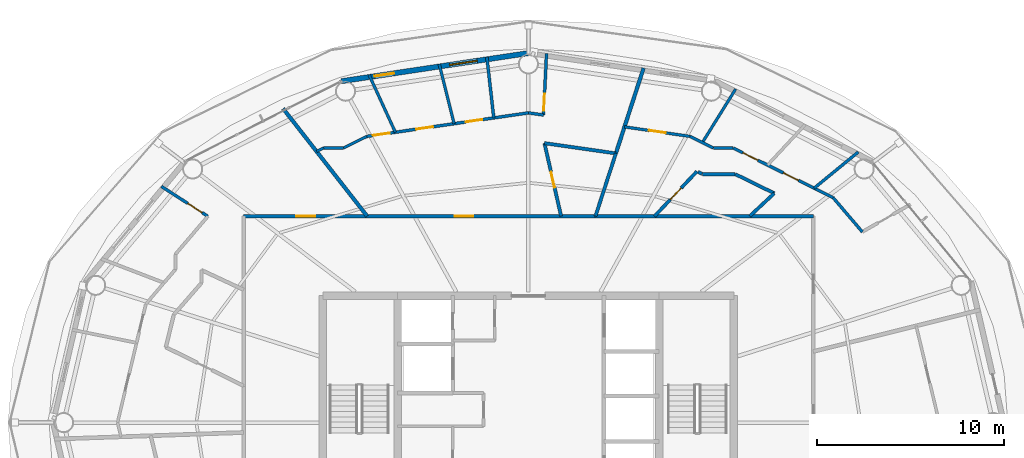
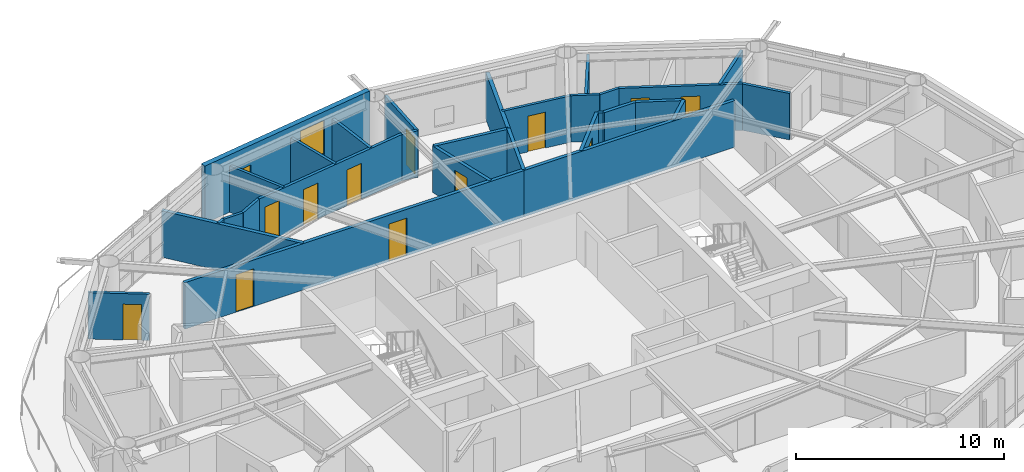
# One storey, part 19 of 23: 30 walls, 13 doors, 1 window, 14 openings.
"""IFC4 building model written with IfcOpenShell, lengths in metres."""

from ifc_helpers import new_model, si_unit, direction, frame, frame_2d, origin, place, context, subcontext, project, spatial, rectangle, extrude, material, layer, layer_set, type_object, element, fill, save


model = new_model("IFC4")

# Units and contexts
model_context = context("Model", 3, precision=1e-05, world=origin(), true_north=direction((0.0, 1.0)))
body_context = subcontext(model_context, "Body", "Model", "MODEL_VIEW")
ifc_project = project(units=[si_unit("LENGTHUNIT", "METRE"), si_unit("AREAUNIT", "SQUARE_METRE"), si_unit("VOLUMEUNIT", "CUBIC_METRE"), si_unit("PLANEANGLEUNIT", "RADIAN"), si_unit("MASSUNIT", "GRAM", prefix="KILO")], contexts=[model_context])

# Site, building, storey
site_placement = place(None, origin())
site = spatial("IfcSite", under=ifc_project, at=site_placement, CompositionType="ELEMENT")
building_placement = place(site_placement, origin())
building = spatial("IfcBuilding", under=site, at=building_placement, Name="Sarneth Arch Tower", CompositionType="ELEMENT")
storey_placement = place(building_placement, frame((0.0, 0.0, 242.39990234375)))
storey = spatial("IfcBuildingStorey", under=building, at=storey_placement, Name="L62", CompositionType="ELEMENT", Elevation=242.39990234375)

# Wall, openings, doors
ifc_material_1 = material(Name="Double steel-stud corridor fire wall", Category="steel")
ifc_layer_1 = layer(ifc_material_1, 0.18994140625)
ifc_layer_set_1 = layer_set([ifc_layer_1], Name="Double steel-stud corridor fire wall")
wall_type_1 = type_object("IfcWallType", Name="WALL-CORR-190", PredefinedType="PARTITIONING", material=ifc_layer_set_1)
wall_1_placement = place(storey_placement, frame((32.75, 53.050048828125, 0.0), z_axis=(0.0, 0.0, 1.0), x_axis=(1.0, 0.0, 0.0)))
wall_1 = element("IfcWall", 1, at=wall_1_placement, inside=storey, type_object=wall_type_1, Name="L62 Interior partition W-L62-TP-005", PredefinedType="PARTITIONING", context=body_context, shape_type="SweptSolid", body=[
    extrude(rectangle(XDim=18.84033203125, YDim=0.18994140625, at=frame_2d((9.420166015625, 0.0))), origin(), (0.0, 0.0, 1.0), 2.72021484375),
])
opening_1_placement = place(wall_1_placement, frame((11.3046875, 0.0, 0.0)))
opening_1 = element("IfcOpeningElement", 2, at=opening_1_placement, cuts=wall_1, Name="Opening FD-08", PredefinedType="OPENING", context=body_context, shape_type="SweptSolid", body=[
    extrude(rectangle(XDim=1.0, YDim=2.199951171875, at=frame_2d((0.5, 1.10009765625))), frame((0.0, 0.10498046875, 0.0), z_axis=(0.0, -1.0, 0.0), x_axis=(1.0, 0.0, 0.0)), (0.0, 0.0, 1.0), 0.2099609375),
])
opening_2_placement = place(wall_1_placement, frame((2.82861328125, 0.0, 0.0)))
opening_2 = element("IfcOpeningElement", 3, at=opening_2_placement, cuts=wall_1, Name="Opening FD-08", PredefinedType="OPENING", context=body_context, shape_type="SweptSolid", body=[
    extrude(rectangle(XDim=1.0, YDim=2.199951171875, at=frame_2d((0.5, 1.10009765625))), frame((0.0, 0.10498046875, 0.0), z_axis=(0.0, -1.0, 0.0), x_axis=(1.0, 0.0, 0.0)), (0.0, 0.0, 1.0), 0.2099609375),
])
ifc_material_2 = material(Name="Hardwood timber acoustic fire door", Category="wood")
door_type_1 = type_object("IfcDoorType", Name="DR-FD60-1000", OperationType="SINGLE_SWING_LEFT", PredefinedType="DOOR", material=ifc_material_2)
door_1_placement = place(opening_1_placement, origin())
door_1 = element("IfcDoor", 4, at=door_1_placement, inside=storey, type_object=door_type_1, Name="L62 Interior door DR-L62-U2-ENT", OperationType="SINGLE_SWING_LEFT", OverallHeight=2.199951171875, OverallWidth=1.0, PredefinedType="DOOR", context=body_context, shape_type="SweptSolid", body=[
    extrude(rectangle(XDim=1.0, YDim=2.199951171875, at=frame_2d((0.5, 1.10009765625))), frame((0.0, 0.02490234375, 0.0), z_axis=(0.0, -1.0, 0.0), x_axis=(1.0, 0.0, 0.0)), (0.0, 0.0, 1.0), 0.050048828125),
])
fill(opening_1, door_1)
door_2_placement = place(opening_2_placement, origin())
door_2 = element("IfcDoor", 5, at=door_2_placement, inside=storey, type_object=door_type_1, Name="L62 Interior door DR-L62-U3-ENT", OperationType="SINGLE_SWING_LEFT", OverallHeight=2.199951171875, OverallWidth=1.0, PredefinedType="DOOR", context=body_context, shape_type="SweptSolid", body=[
    extrude(rectangle(XDim=1.0, YDim=2.199951171875, at=frame_2d((0.5, 1.10009765625))), frame((0.0, 0.02490234375, 0.0), z_axis=(0.0, -1.0, 0.0), x_axis=(1.0, 0.0, 0.0)), (0.0, 0.0, 1.0), 0.050048828125),
])
fill(opening_2, door_2)

# Wall
wall_2_placement = place(storey_placement, frame((51.556884765625, 53.050048828125, 0.0), z_axis=(0.0, 0.0, 1.0), x_axis=(1.0, 0.0, 0.0)))
element("IfcWall", 6, at=wall_2_placement, inside=storey, type_object=wall_type_1, Name="L62 Interior partition W-L62-TP-004", PredefinedType="PARTITIONING", context=body_context, shape_type="SweptSolid", body=[
    extrude(rectangle(XDim=11.693115234375, YDim=0.18994140625, at=frame_2d((5.8466796875, 0.0))), origin(), (0.0, 0.0, 1.0), 2.72021484375),
])

# Wall, openings, door, window
ifc_material_3 = material(Name="Extruded terracotta rainscreen on Concrete C40/50 backing", Category="masonry")
ifc_layer_2 = layer(ifc_material_3, 0.280029296875)
ifc_layer_set_2 = layer_set([ifc_layer_2], Name="Extruded terracotta rainscreen on Concrete C40/50 backing")
wall_type_2 = type_object("IfcWallType", Name="WALL-EXT-TERRA-280", PredefinedType="SOLIDWALL", material=ifc_layer_set_2)
wall_3_placement = place(storey_placement, frame((48.0, 61.780029296875, 0.0), z_axis=(0.0, 0.0, 1.0), x_axis=(-0.988882522213, -0.148698881169, 0.0)))
wall_3 = element("IfcWall", 7, at=wall_3_placement, inside=storey, type_object=wall_type_2, Name="L62 Terracotta perimeter wall 05", PredefinedType="SOLIDWALL", context=body_context, shape_type="SweptSolid", body=[
    extrude(rectangle(XDim=10.125244140625, YDim=0.280029296875, at=frame_2d((5.0625, 0.0))), origin(), (0.0, 0.0, 1.0), 3.360107421875),
])
opening_3_placement = place(wall_3_placement, frame((2.769287109375, 0.0, 0.85009765625)))
opening_3 = element("IfcOpeningElement", 8, at=opening_3_placement, cuts=wall_3, Name="Opening W-06", PredefinedType="OPENING", context=body_context, shape_type="SweptSolid", body=[
    extrude(rectangle(XDim=1.5, YDim=2.0, at=frame_2d((0.75, 1.0))), frame((0.0, 0.14990234375, 0.0), z_axis=(0.0, -1.0, 0.0), x_axis=(1.0, 0.0, 0.0)), (0.0, 0.0, 1.0), 0.300048828125),
])
opening_4_placement = place(wall_3_placement, frame((7.27978515625, 0.0, 0.0)))
opening_4 = element("IfcOpeningElement", 9, at=opening_4_placement, cuts=wall_3, Name="Opening BD-4", PredefinedType="OPENING", context=body_context, shape_type="SweptSolid", body=[
    extrude(rectangle(XDim=1.050048828125, YDim=2.199951171875, at=frame_2d((0.52490234375, 1.10009765625))), frame((0.0, 0.14990234375, 0.0), z_axis=(0.0, -1.0, 0.0), x_axis=(1.0, 0.0, 0.0)), (0.0, 0.0, 1.0), 0.300048828125),
])
ifc_material_4 = material(Name="Thermally broken Aluminium 6063-T6 and laminated safety glass", Category="aluminium")
door_type_2 = type_object("IfcDoorType", Name="DR-BALC-GLZ-1050", OperationType="SINGLE_SWING_RIGHT", PredefinedType="DOOR", material=ifc_material_4)
door_3_placement = place(opening_4_placement, origin())
door_3 = element("IfcDoor", 10, at=door_3_placement, inside=storey, type_object=door_type_2, Name="L62 Balcony glazed door 05", OperationType="SINGLE_SWING_RIGHT", OverallHeight=2.199951171875, OverallWidth=1.050048828125, PredefinedType="DOOR", context=body_context, shape_type="SweptSolid", body=[
    extrude(rectangle(XDim=1.050048828125, YDim=2.199951171875, at=frame_2d((0.52490234375, 1.10009765625))), frame((0.0, 0.02490234375, 0.0), z_axis=(0.0, -1.0, 0.0), x_axis=(1.0, 0.0, 0.0)), (0.0, 0.0, 1.0), 0.050048828125),
])
fill(opening_4, door_3)
ifc_material_5 = material(Name="Thermally broken Aluminium 6063-T6 and low-e laminated IGU", Category="aluminium")
window_type = type_object("IfcWindowType", Name="WIN-TWR-1500x2000", PartitioningType="SINGLE_PANEL", PredefinedType="WINDOW", material=ifc_material_5)
window_placement = place(opening_3_placement, origin())
window = element("IfcWindow", 11, at=window_placement, inside=storey, type_object=window_type, Name="L62 Exterior window 05A", OverallHeight=2.0, OverallWidth=1.5, PartitioningType="SINGLE_PANEL", PredefinedType="WINDOW", context=body_context, shape_type="SweptSolid", body=[
    extrude(rectangle(XDim=1.5, YDim=2.0, at=frame_2d((0.75, 1.0))), frame((0.0, 0.030029296875, 0.0), z_axis=(0.0, -1.0, 0.0), x_axis=(1.0, 0.0, 0.0)), (0.0, 0.0, 1.0), 0.06005859375),
])
fill(opening_3, window)

# Wall
ifc_material_6 = material(Name="Apartment internal stud partition", Category="gypsum")
ifc_layer_3 = layer(ifc_material_6, 0.139892578125)
ifc_layer_set_3 = layer_set([ifc_layer_3], Name="Apartment internal stud partition")
wall_type_3 = type_object("IfcWallType", Name="WALL-PART-140", PredefinedType="PARTITIONING", material=ifc_layer_set_3)
wall_4_placement = place(storey_placement, frame((58.9638671875, 56.699951171875, 0.0), z_axis=(0.0, 0.0, 1.0), x_axis=(-1.0, 0.0, 0.0)))
element("IfcWall", 12, at=wall_4_placement, inside=storey, type_object=wall_type_3, Name="L62 Interior partition W-L62-TP-030", PredefinedType="PARTITIONING", context=body_context, shape_type="SweptSolid", body=[
    extrude(rectangle(XDim=1.065185546875, YDim=0.139892578125, at=frame_2d((0.53271484375, 0.0))), origin(), (0.0, 0.0, 1.0), 2.72021484375),
])

# Wall, opening, door
ifc_material_7 = material(Name="Acoustic gypsum stud partition", Category="gypsum")
ifc_layer_4 = layer(ifc_material_7, 0.14990234375)
ifc_layer_set_4 = layer_set([ifc_layer_4], Name="Acoustic gypsum stud partition")
wall_type_4 = type_object("IfcWallType", Name="WALL-PART-150", PredefinedType="PARTITIONING", material=ifc_layer_set_4)
wall_5_placement = place(storey_placement, frame((53.1435546875, 57.830078125, 0.0), z_axis=(0.0, 0.0, 1.0), x_axis=(0.98952683964, -0.144348999414, 0.0)))
wall_5 = element("IfcWall", 13, at=wall_5_placement, inside=storey, type_object=wall_type_4, Name="L62 Interior partition W-L62-TP-032", PredefinedType="PARTITIONING", context=body_context, shape_type="SweptSolid", body=[
    extrude(rectangle(XDim=3.54833984375, YDim=0.14990234375, at=frame_2d((1.774169921875, 0.0))), origin(), (0.0, 0.0, 1.0), 2.72021484375),
])
opening_5_placement = place(wall_5_placement, frame((1.32421875, 0.0, 0.0)))
opening_5 = element("IfcOpeningElement", 14, at=opening_5_placement, cuts=wall_5, Name="Opening ID-01", PredefinedType="OPENING", context=body_context, shape_type="SweptSolid", body=[
    extrude(rectangle(XDim=0.89990234375, YDim=2.10009765625, at=frame_2d((0.449951171875, 1.050048828125))), frame((0.0, 0.0849609375, 0.0), z_axis=(0.0, -1.0, 0.0), x_axis=(1.0, 0.0, 0.0)), (0.0, 0.0, 1.0), 0.169921875),
])
ifc_material_8 = material(Name="Engineered hardwood flush door", Category="wood")
door_type_3 = type_object("IfcDoorType", Name="DR-INT-900", OperationType="SINGLE_SWING_LEFT", PredefinedType="DOOR", material=ifc_material_8)
door_4_placement = place(opening_5_placement, origin())
door_4 = element("IfcDoor", 15, at=door_4_placement, inside=storey, type_object=door_type_3, Name="L62 Interior door DR-L62-U1-BED3", OperationType="SINGLE_SWING_RIGHT", OverallHeight=2.10009765625, OverallWidth=0.89990234375, PredefinedType="DOOR", context=body_context, shape_type="SweptSolid", body=[
    extrude(rectangle(XDim=0.89990234375, YDim=2.10009765625, at=frame_2d((0.449951171875, 1.050048828125))), frame((0.0, 0.02490234375, 0.0), z_axis=(0.0, -1.0, 0.0), x_axis=(1.0, 0.0, 0.0)), (0.0, 0.0, 1.0), 0.050048828125),
])
fill(opening_5, door_4)

# Walls
wall_6_placement = place(storey_placement, frame((40.876953125, 57.541259765625, 0.0), z_axis=(0.0, 0.0, 1.0), x_axis=(-0.41664724869, 0.90906824285, 0.0)))
element("IfcWall", 16, at=wall_6_placement, inside=storey, type_object=wall_type_4, Name="L62 Interior partition W-L62-TP-056", PredefinedType="PARTITIONING", context=body_context, shape_type="SweptSolid", body=[
    extrude(rectangle(XDim=3.3798828125, YDim=0.14990234375, at=frame_2d((1.68994140625, 0.0))), origin(), (0.0, 0.0, 1.0), 2.72021484375),
])
wall_7_placement = place(storey_placement, frame((57.314208984375, 56.990478515625, 0.0), z_axis=(0.0, 0.0, 1.0), x_axis=(0.527732275503, 0.849410763643, 0.0)))
element("IfcWall", 17, at=wall_7_placement, inside=storey, type_object=wall_type_4, Name="L62 Interior partition W-L62-TP-040", PredefinedType="PARTITIONING", context=body_context, shape_type="SweptSolid", body=[
    extrude(rectangle(XDim=3.3720703125, YDim=0.14990234375, at=frame_2d((1.68603515625, 0.0))), origin(), (0.0, 0.0, 1.0), 2.72021484375),
])
wall_8_placement = place(storey_placement, frame((43.228515625, 61.183349609375, 0.0), z_axis=(0.0, 0.0, 1.0), x_axis=(0.241414802643, -0.970422018023, 0.0)))
element("IfcWall", 18, at=wall_8_placement, inside=storey, type_object=wall_type_4, Name="L62 Interior partition W-L62-TP-055", PredefinedType="PARTITIONING", context=body_context, shape_type="SweptSolid", body=[
    extrude(rectangle(XDim=3.280517578125, YDim=0.14990234375, at=frame_2d((1.64013671875, 0.0))), origin(), (0.0, 0.0, 1.0), 2.72021484375),
])
wall_9_placement = place(storey_placement, frame((38.101318359375, 56.699951171875, 0.0), z_axis=(0.0, 0.0, 1.0), x_axis=(0.895584310315, 0.444891833053, 0.0)))
element("IfcWall", 19, at=wall_9_placement, inside=storey, type_object=wall_type_4, Name="L62 Interior partition W-L62-TP-051", PredefinedType="PARTITIONING", context=body_context, shape_type="SweptSolid", body=[
    extrude(rectangle(XDim=1.388916015625, YDim=0.14990234375, at=frame_2d((0.6943359375, 0.0))), origin(), (0.0, 0.0, 1.0), 2.72021484375),
])
wall_10_placement = place(storey_placement, frame((37.0361328125, 56.699951171875, 0.0), z_axis=(0.0, 0.0, 1.0), x_axis=(1.0, 0.0, 0.0)))
element("IfcWall", 20, at=wall_10_placement, inside=storey, type_object=wall_type_4, Name="L62 Interior partition W-L62-TP-050", PredefinedType="PARTITIONING", context=body_context, shape_type="SweptSolid", body=[
    extrude(rectangle(XDim=1.065185546875, YDim=0.14990234375, at=frame_2d((0.53271484375, 0.0))), origin(), (0.0, 0.0, 1.0), 2.72021484375),
])
wall_11_placement = place(storey_placement, frame((56.65478515625, 57.31787109375, 0.0), z_axis=(0.0, 0.0, 1.0), x_axis=(0.895584310315, -0.444891833053, 0.0)))
element("IfcWall", 21, at=wall_11_placement, inside=storey, type_object=wall_type_4, Name="L62 Interior partition W-L62-TP-033", PredefinedType="PARTITIONING", context=body_context, shape_type="SweptSolid", body=[
    extrude(rectangle(XDim=1.388916015625, YDim=0.14990234375, at=frame_2d((0.6943359375, 0.0))), origin(), (0.0, 0.0, 1.0), 2.72021484375),
])
wall_12_placement = place(storey_placement, frame((36.660888671875, 56.513427734375, 0.0), z_axis=(0.0, 0.0, 1.0), x_axis=(0.895473432012, 0.445114965554, 0.0)))
element("IfcWall", 22, at=wall_12_placement, inside=storey, type_object=wall_type_4, Name="L62 Interior partition W-L62-TP-049", PredefinedType="PARTITIONING", context=body_context, shape_type="SweptSolid", body=[
    extrude(rectangle(XDim=0.4189453125, YDim=0.14990234375, at=frame_2d((0.20947265625, 0.0))), origin(), (0.0, 0.0, 1.0), 2.72021484375),
])

# Wall, opening, door
ifc_material_9 = material(Name="Kitchen wet service chase wall", Category="gypsum")
ifc_layer_5 = layer(ifc_material_9, 0.159912109375)
ifc_layer_set_5 = layer_set([ifc_layer_5], Name="Kitchen wet service chase wall")
wall_type_5 = type_object("IfcWallType", Name="WALL-PLUMB-160", PredefinedType="PLUMBINGWALL", material=ifc_layer_set_5)
wall_13_placement = place(storey_placement, frame((48.969482421875, 61.7548828125, 0.0), z_axis=(0.0, 0.0, 1.0), x_axis=(-0.04902528139, -0.998797537935, 0.0)))
wall_13 = element("IfcWall", 23, at=wall_13_placement, inside=storey, type_object=wall_type_5, Name="L62 Interior partition W-L62-TP-042", PredefinedType="PLUMBINGWALL", context=body_context, shape_type="SweptSolid", body=[
    extrude(rectangle(XDim=3.296630859375, YDim=0.159912109375, at=frame_2d((1.6484375, 0.0))), origin(), (0.0, 0.0, 1.0), 2.72021484375),
])
opening_6_placement = place(wall_13_placement, frame((2.158447265625, 0.0, 0.0)))
opening_6 = element("IfcOpeningElement", 24, at=opening_6_placement, cuts=wall_13, Name="Opening ID-01", PredefinedType="OPENING", context=body_context, shape_type="SweptSolid", body=[
    extrude(rectangle(XDim=0.89990234375, YDim=2.10009765625, at=frame_2d((0.449951171875, 1.050048828125))), frame((0.0, 0.08984375, 0.0), z_axis=(0.0, -1.0, 0.0), x_axis=(1.0, 0.0, 0.0)), (0.0, 0.0, 1.0), 0.179931640625),
])
door_5_placement = place(opening_6_placement, origin())
door_5 = element("IfcDoor", 25, at=door_5_placement, inside=storey, type_object=door_type_3, Name="L62 Interior door DR-L62-U2-KIT", OperationType="SINGLE_SWING_RIGHT", OverallHeight=2.10009765625, OverallWidth=0.89990234375, PredefinedType="DOOR", context=body_context, shape_type="SweptSolid", body=[
    extrude(rectangle(XDim=0.89990234375, YDim=2.10009765625, at=frame_2d((0.449951171875, 1.050048828125))), frame((0.0, 0.02490234375, 0.0), z_axis=(0.0, -1.0, 0.0), x_axis=(1.0, 0.0, 0.0)), (0.0, 0.0, 1.0), 0.050048828125),
])
fill(opening_6, door_5)

# Wall
wall_14_placement = place(storey_placement, frame((46.145751953125, 58.3095703125, 0.0), z_axis=(0.0, 0.0, 1.0), x_axis=(-0.11298154415, 0.993597086691, 0.0)))
element("IfcWall", 26, at=wall_14_placement, inside=storey, type_object=wall_type_5, Name="L62 Interior partition W-L62-TP-054", PredefinedType="PLUMBINGWALL", context=body_context, shape_type="SweptSolid", body=[
    extrude(rectangle(XDim=3.278076171875, YDim=0.159912109375, at=frame_2d((1.63916015625, 0.0))), origin(), (0.0, 0.0, 1.0), 2.72021484375),
])

# Wall, openings, doors
wall_15_placement = place(storey_placement, frame((39.34521484375, 57.318115234375, 0.0), z_axis=(0.0, 0.0, 1.0), x_axis=(0.989540121389, 0.144257922351, 0.0)))
wall_15 = element("IfcWall", 27, at=wall_15_placement, inside=storey, type_object=wall_type_5, Name="L62 Interior partition W-L62-TP-048", PredefinedType="PLUMBINGWALL", context=body_context, shape_type="SweptSolid", body=[
    extrude(rectangle(XDim=8.746337890625, YDim=0.159912109375, at=frame_2d((4.373046875, 0.0))), origin(), (0.0, 0.0, 1.0), 2.72021484375),
])
opening_7_placement = place(wall_15_placement, frame((2.685791015625, 0.0, 0.0)))
opening_7 = element("IfcOpeningElement", 28, at=opening_7_placement, cuts=wall_15, Name="Opening ID-01", PredefinedType="OPENING", context=body_context, shape_type="SweptSolid", body=[
    extrude(rectangle(XDim=0.89990234375, YDim=2.10009765625, at=frame_2d((0.449951171875, 1.050048828125))), frame((0.0, 0.08984375, 0.0), z_axis=(0.0, -1.0, 0.0), x_axis=(1.0, 0.0, 0.0)), (0.0, 0.0, 1.0), 0.179931640625),
])
opening_8_placement = place(wall_15_placement, frame((5.3486328125, 0.0, 0.0)))
opening_8 = element("IfcOpeningElement", 29, at=opening_8_placement, cuts=wall_15, Name="Opening ID-01", PredefinedType="OPENING", context=body_context, shape_type="SweptSolid", body=[
    extrude(rectangle(XDim=0.89990234375, YDim=2.10009765625, at=frame_2d((0.449951171875, 1.050048828125))), frame((0.0, 0.08984375, 0.0), z_axis=(0.0, -1.0, 0.0), x_axis=(1.0, 0.0, 0.0)), (0.0, 0.0, 1.0), 0.179931640625),
])
opening_9_placement = place(wall_15_placement, frame((0.3408203125, 0.0, 0.0)))
opening_9 = element("IfcOpeningElement", 30, at=opening_9_placement, cuts=wall_15, Name="Opening ID-01", PredefinedType="OPENING", context=body_context, shape_type="SweptSolid", body=[
    extrude(rectangle(XDim=0.89990234375, YDim=2.10009765625, at=frame_2d((0.449951171875, 1.050048828125))), frame((0.0, 0.08984375, 0.0), z_axis=(0.0, -1.0, 0.0), x_axis=(1.0, 0.0, 0.0)), (0.0, 0.0, 1.0), 0.179931640625),
])
door_6_placement = place(opening_7_placement, origin())
door_6 = element("IfcDoor", 31, at=door_6_placement, inside=storey, type_object=door_type_3, Name="L62 Interior door DR-L62-U2-BED2", OperationType="SINGLE_SWING_RIGHT", OverallHeight=2.10009765625, OverallWidth=0.89990234375, PredefinedType="DOOR", context=body_context, shape_type="SweptSolid", body=[
    extrude(rectangle(XDim=0.89990234375, YDim=2.10009765625, at=frame_2d((0.449951171875, 1.050048828125))), frame((0.0, 0.02490234375, 0.0), z_axis=(0.0, -1.0, 0.0), x_axis=(1.0, 0.0, 0.0)), (0.0, 0.0, 1.0), 0.050048828125),
])
fill(opening_7, door_6)
door_7_placement = place(opening_8_placement, origin())
door_7 = element("IfcDoor", 32, at=door_7_placement, inside=storey, type_object=door_type_3, Name="L62 Interior door DR-L62-U2-BED1", OperationType="SINGLE_SWING_LEFT", OverallHeight=2.10009765625, OverallWidth=0.89990234375, PredefinedType="DOOR", context=body_context, shape_type="SweptSolid", body=[
    extrude(rectangle(XDim=0.89990234375, YDim=2.10009765625, at=frame_2d((0.449951171875, 1.050048828125))), frame((0.0, 0.02490234375, 0.0), z_axis=(0.0, -1.0, 0.0), x_axis=(1.0, 0.0, 0.0)), (0.0, 0.0, 1.0), 0.050048828125),
])
fill(opening_8, door_7)
door_8_placement = place(opening_9_placement, origin())
door_8 = element("IfcDoor", 33, at=door_8_placement, inside=storey, type_object=door_type_3, Name="L62 Interior door DR-L62-U2-BED3", OperationType="SINGLE_SWING_LEFT", OverallHeight=2.10009765625, OverallWidth=0.89990234375, PredefinedType="DOOR", context=body_context, shape_type="SweptSolid", body=[
    extrude(rectangle(XDim=0.89990234375, YDim=2.10009765625, at=frame_2d((0.449951171875, 1.050048828125))), frame((0.0, 0.02490234375, 0.0), z_axis=(0.0, -1.0, 0.0), x_axis=(1.0, 0.0, 0.0)), (0.0, 0.0, 1.0), 0.050048828125),
])
fill(opening_9, door_8)

# Wall
wall_16_placement = place(storey_placement, frame((63.296142578125, 54.546630859375, 0.0), z_axis=(0.0, 0.0, 1.0), x_axis=(0.773154828325, 0.634217321931, 0.0)))
element("IfcWall", 34, at=wall_16_placement, inside=storey, type_object=wall_type_5, Name="L62 Interior partition W-L62-TP-038", PredefinedType="PLUMBINGWALL", context=body_context, shape_type="SweptSolid", body=[
    extrude(rectangle(XDim=3.05224609375, YDim=0.159912109375, at=frame_2d((1.526123046875, 0.0))), origin(), (0.0, 0.0, 1.0), 2.72021484375),
])

# Wall, opening, door
wall_17_placement = place(storey_placement, frame((28.35009765625, 54.641845703125, 0.0), z_axis=(0.0, 0.0, 1.0), x_axis=(0.840998642379, -0.541037229326, 0.0)))
wall_17 = element("IfcWall", 35, at=wall_17_placement, inside=storey, type_object=wall_type_5, Name="L62 Interior partition W-L62-TP-058", PredefinedType="PLUMBINGWALL", context=body_context, shape_type="SweptSolid", body=[
    extrude(rectangle(XDim=2.9560546875, YDim=0.159912109375, at=frame_2d((1.47802734375, 0.0))), origin(), (0.0, 0.0, 1.0), 2.72021484375),
])
opening_10_placement = place(wall_17_placement, frame((1.688232421875, 0.0, 0.0)))
opening_10 = element("IfcOpeningElement", 36, at=opening_10_placement, cuts=wall_17, Name="Opening ID-01", PredefinedType="OPENING", context=body_context, shape_type="SweptSolid", body=[
    extrude(rectangle(XDim=0.89990234375, YDim=2.10009765625, at=frame_2d((0.449951171875, 1.050048828125))), frame((0.0, 0.08984375, 0.0), z_axis=(0.0, -1.0, 0.0), x_axis=(1.0, 0.0, 0.0)), (0.0, 0.0, 1.0), 0.179931640625),
])
door_9_placement = place(opening_10_placement, origin())
door_9 = element("IfcDoor", 37, at=door_9_placement, inside=storey, type_object=door_type_3, Name="L62 Interior door DR-L62-U3-KIT", OperationType="SINGLE_SWING_RIGHT", OverallHeight=2.10009765625, OverallWidth=0.89990234375, PredefinedType="DOOR", context=body_context, shape_type="SweptSolid", body=[
    extrude(rectangle(XDim=0.89990234375, YDim=2.10009765625, at=frame_2d((0.449951171875, 1.050048828125))), frame((0.0, 0.02490234375, 0.0), z_axis=(0.0, -1.0, 0.0), x_axis=(1.0, 0.0, 0.0)), (0.0, 0.0, 1.0), 0.050048828125),
])
fill(opening_10, door_9)

# Wall, openings, doors
wall_18_placement = place(storey_placement, frame((58.9638671875, 56.699951171875, 0.0), z_axis=(0.0, 0.0, 1.0), x_axis=(0.895471406875, -0.445119039661, 0.0)))
wall_18 = element("IfcWall", 38, at=wall_18_placement, inside=storey, type_object=wall_type_5, Name="L62 Interior partition W-L62-TP-028", PredefinedType="PLUMBINGWALL", context=body_context, shape_type="SweptSolid", body=[
    extrude(rectangle(XDim=5.971435546875, YDim=0.159912109375, at=frame_2d((2.98583984375, 0.0))), origin(), (0.0, 0.0, 1.0), 2.72021484375),
])
opening_11_placement = place(wall_18_placement, frame((2.997802734375, 0.0, 0.0)))
opening_11 = element("IfcOpeningElement", 39, at=opening_11_placement, cuts=wall_18, Name="Opening ID-01", PredefinedType="OPENING", context=body_context, shape_type="SweptSolid", body=[
    extrude(rectangle(XDim=0.89990234375, YDim=2.10009765625, at=frame_2d((0.449951171875, 1.050048828125))), frame((0.0, 0.08984375, 0.0), z_axis=(0.0, -1.0, 0.0), x_axis=(1.0, 0.0, 0.0)), (0.0, 0.0, 1.0), 0.179931640625),
])
opening_12_placement = place(wall_18_placement, frame((0.578125, 0.0, 0.0)))
opening_12 = element("IfcOpeningElement", 40, at=opening_12_placement, cuts=wall_18, Name="Opening ID-01", PredefinedType="OPENING", context=body_context, shape_type="SweptSolid", body=[
    extrude(rectangle(XDim=0.89990234375, YDim=2.10009765625, at=frame_2d((0.449951171875, 1.050048828125))), frame((0.0, 0.08984375, 0.0), z_axis=(0.0, -1.0, 0.0), x_axis=(1.0, 0.0, 0.0)), (0.0, 0.0, 1.0), 0.179931640625),
])
door_10_placement = place(opening_11_placement, origin())
door_10 = element("IfcDoor", 41, at=door_10_placement, inside=storey, type_object=door_type_3, Name="L62 Interior door DR-L62-U1-BED1", OperationType="SINGLE_SWING_RIGHT", OverallHeight=2.10009765625, OverallWidth=0.89990234375, PredefinedType="DOOR", context=body_context, shape_type="SweptSolid", body=[
    extrude(rectangle(XDim=0.89990234375, YDim=2.10009765625, at=frame_2d((0.449951171875, 1.050048828125))), frame((0.0, 0.02490234375, 0.0), z_axis=(0.0, -1.0, 0.0), x_axis=(1.0, 0.0, 0.0)), (0.0, 0.0, 1.0), 0.050048828125),
])
fill(opening_11, door_10)
door_11_placement = place(opening_12_placement, origin())
door_11 = element("IfcDoor", 42, at=door_11_placement, inside=storey, type_object=door_type_3, Name="L62 Interior door DR-L62-U1-BED2", OperationType="SINGLE_SWING_LEFT", OverallHeight=2.10009765625, OverallWidth=0.89990234375, PredefinedType="DOOR", context=body_context, shape_type="SweptSolid", body=[
    extrude(rectangle(XDim=0.89990234375, YDim=2.10009765625, at=frame_2d((0.449951171875, 1.050048828125))), frame((0.0, 0.02490234375, 0.0), z_axis=(0.0, -1.0, 0.0), x_axis=(1.0, 0.0, 0.0)), (0.0, 0.0, 1.0), 0.050048828125),
])
fill(opening_12, door_11)

# Walls
wall_19_placement = place(storey_placement, frame((64.31103515625, 54.0419921875, 0.0), z_axis=(0.0, 0.0, 1.0), x_axis=(0.648953507232, -0.760828065631, 0.0)))
element("IfcWall", 43, at=wall_19_placement, inside=storey, type_object=wall_type_5, Name="L62 Interior partition W-L62-TP-021", PredefinedType="PLUMBINGWALL", context=body_context, shape_type="SweptSolid", body=[
    extrude(rectangle(XDim=2.4091796875, YDim=0.159912109375, at=frame_2d((1.20458984375, 0.0))), origin(), (0.0, 0.0, 1.0), 2.72021484375),
])
wall_20_placement = place(storey_placement, frame((48.807861328125, 58.462158203125, 0.0), z_axis=(0.0, 0.0, 1.0), x_axis=(-0.989514290885, 0.144434996222, 0.0)))
element("IfcWall", 44, at=wall_20_placement, inside=storey, type_object=wall_type_5, Name="L62 Interior partition W-L62-TP-043", PredefinedType="PLUMBINGWALL", context=body_context, shape_type="SweptSolid", body=[
    extrude(rectangle(XDim=0.81640625, YDim=0.159912109375, at=frame_2d((0.408203125, 0.0))), origin(), (0.0, 0.0, 1.0), 2.72021484375),
])

# Wall, opening, door
ifc_material_10 = material(Name="Moisture-resistant plumbing chase wall", Category="gypsum")
ifc_layer_6 = layer(ifc_material_10, 0.179931640625)
ifc_layer_set_6 = layer_set([ifc_layer_6], Name="Moisture-resistant plumbing chase wall")
wall_type_6 = type_object("IfcWallType", Name="WALL-PLUMB-180", PredefinedType="PLUMBINGWALL", material=ifc_layer_set_6)
wall_21_placement = place(storey_placement, frame((49.750244140625, 53.050048828125, 0.0), z_axis=(0.0, 0.0, 1.0), x_axis=(-0.222474116201, 0.974938596846, 0.0)))
wall_21 = element("IfcWall", 45, at=wall_21_placement, inside=storey, type_object=wall_type_6, Name="L62 Interior partition W-L62-TP-045", PredefinedType="PLUMBINGWALL", context=body_context, shape_type="SweptSolid", body=[
    extrude(rectangle(XDim=4.007568359375, YDim=0.179931640625, at=frame_2d((2.00390625, 0.0))), origin(), (0.0, 0.0, 1.0), 2.72021484375),
])
opening_13_placement = place(wall_21_placement, frame((1.578857421875, 0.0, 0.0)))
opening_13 = element("IfcOpeningElement", 46, at=opening_13_placement, cuts=wall_21, Name="Opening ID-02", PredefinedType="OPENING", context=body_context, shape_type="SweptSolid", body=[
    extrude(rectangle(XDim=0.85009765625, YDim=2.10009765625, at=frame_2d((0.425048828125, 1.050048828125))), frame((0.0, 0.099853515625, 0.0), z_axis=(0.0, -1.0, 0.0), x_axis=(1.0, 0.0, 0.0)), (0.0, 0.0, 1.0), 0.199951171875),
])
ifc_material_11 = material(Name="Moisture-resistant bathroom timber door", Category="wood")
door_type_4 = type_object("IfcDoorType", Name="DR-INT-850", OperationType="SINGLE_SWING_RIGHT", PredefinedType="DOOR", material=ifc_material_11)
door_12_placement = place(opening_13_placement, origin())
door_12 = element("IfcDoor", 47, at=door_12_placement, inside=storey, type_object=door_type_4, Name="L62 Interior door DR-L62-U2-BATH", OperationType="SINGLE_SWING_LEFT", OverallHeight=2.10009765625, OverallWidth=0.85009765625, PredefinedType="DOOR", context=body_context, shape_type="SweptSolid", body=[
    extrude(rectangle(XDim=0.85009765625, YDim=2.10009765625, at=frame_2d((0.425048828125, 1.050048828125))), frame((0.0, 0.02490234375, 0.0), z_axis=(0.0, -1.0, 0.0), x_axis=(1.0, 0.0, 0.0)), (0.0, 0.0, 1.0), 0.050048828125),
])
fill(opening_13, door_12)

# Walls
wall_22_placement = place(storey_placement, frame((48.858642578125, 56.957275390625, 0.0), z_axis=(0.0, 0.0, 1.0), x_axis=(0.989916598229, -0.141651433282, 0.0)))
element("IfcWall", 48, at=wall_22_placement, inside=storey, type_object=wall_type_6, Name="L62 Interior partition W-L62-TP-046", PredefinedType="PLUMBINGWALL", context=body_context, shape_type="SweptSolid", body=[
    extrude(rectangle(XDim=3.862548828125, YDim=0.179931640625, at=frame_2d((1.93115234375, 0.0))), origin(), (0.0, 0.0, 1.0), 2.72021484375),
])
wall_23_placement = place(storey_placement, frame((52.68212890625, 56.41015625, 0.0), z_axis=(0.0, 0.0, 1.0), x_axis=(-0.309025133622, -0.951053871655, 0.0)))
element("IfcWall", 49, at=wall_23_placement, inside=storey, type_object=wall_type_6, Name="L62 Interior partition W-L62-TP-035", PredefinedType="PLUMBINGWALL", context=body_context, shape_type="SweptSolid", body=[
    extrude(rectangle(XDim=3.532958984375, YDim=0.179931640625, at=frame_2d((1.7666015625, 0.0))), origin(), (0.0, 0.0, 1.0), 2.72021484375),
])

# Wall, opening, door
wall_24_placement = place(storey_placement, frame((57.020751953125, 55.4462890625, 0.0), z_axis=(0.0, 0.0, 1.0), x_axis=(-0.686947406922, -0.726707135044, 0.0)))
wall_24 = element("IfcWall", 50, at=wall_24_placement, inside=storey, type_object=wall_type_6, Name="L62 Interior partition W-L62-TP-027", PredefinedType="PLUMBINGWALL", context=body_context, shape_type="SweptSolid", body=[
    extrude(rectangle(XDim=3.29736328125, YDim=0.179931640625, at=frame_2d((1.648681640625, 0.0))), origin(), (0.0, 0.0, 1.0), 2.72021484375),
])
opening_14_placement = place(wall_24_placement, frame((1.2236328125, 0.0, 0.0)))
opening_14 = element("IfcOpeningElement", 51, at=opening_14_placement, cuts=wall_24, Name="Opening ID-02", PredefinedType="OPENING", context=body_context, shape_type="SweptSolid", body=[
    extrude(rectangle(XDim=0.85009765625, YDim=2.10009765625, at=frame_2d((0.425048828125, 1.050048828125))), frame((0.0, 0.099853515625, 0.0), z_axis=(0.0, -1.0, 0.0), x_axis=(1.0, 0.0, 0.0)), (0.0, 0.0, 1.0), 0.199951171875),
])
door_13_placement = place(opening_14_placement, origin())
door_13 = element("IfcDoor", 52, at=door_13_placement, inside=storey, type_object=door_type_4, Name="L62 Interior door DR-L62-U1-BATH", OperationType="SINGLE_SWING_LEFT", OverallHeight=2.10009765625, OverallWidth=0.85009765625, PredefinedType="DOOR", context=body_context, shape_type="SweptSolid", body=[
    extrude(rectangle(XDim=0.85009765625, YDim=2.10009765625, at=frame_2d((0.425048828125, 1.050048828125))), frame((0.0, 0.02490234375, 0.0), z_axis=(0.0, -1.0, 0.0), x_axis=(1.0, 0.0, 0.0)), (0.0, 0.0, 1.0), 0.050048828125),
])
fill(opening_14, door_13)

# Walls
wall_25_placement = place(storey_placement, frame((61.16162109375, 54.2734375, 0.0), z_axis=(0.0, 0.0, 1.0), x_axis=(-0.897774561906, 0.440455259925, 0.0)))
element("IfcWall", 53, at=wall_25_placement, inside=storey, type_object=wall_type_6, Name="L62 Interior partition W-L62-TP-024", PredefinedType="PLUMBINGWALL", context=body_context, shape_type="SweptSolid", body=[
    extrude(rectangle(XDim=2.330810546875, YDim=0.179931640625, at=frame_2d((1.16552734375, 0.0))), origin(), (0.0, 0.0, 1.0), 2.72021484375),
])
wall_26_placement = place(storey_placement, frame((59.849609375, 53.050048828125, 0.0), z_axis=(0.0, 0.0, 1.0), x_axis=(0.731376514485, 0.681973895438, 0.0)))
element("IfcWall", 54, at=wall_26_placement, inside=storey, type_object=wall_type_6, Name="L62 Interior partition W-L62-TP-023", PredefinedType="PLUMBINGWALL", context=body_context, shape_type="SweptSolid", body=[
    extrude(rectangle(XDim=1.7939453125, YDim=0.179931640625, at=frame_2d((0.89697265625, 0.0))), origin(), (0.0, 0.0, 1.0), 2.72021484375),
])
wall_27_placement = place(storey_placement, frame((59.069091796875, 55.300048828125, 0.0), z_axis=(0.0, 0.0, 1.0), x_axis=(-1.0, 0.0, 0.0)))
element("IfcWall", 55, at=wall_27_placement, inside=storey, type_object=wall_type_6, Name="L62 Interior partition W-L62-TP-025", PredefinedType="PLUMBINGWALL", context=body_context, shape_type="SweptSolid", body=[
    extrude(rectangle(XDim=1.748291015625, YDim=0.179931640625, at=frame_2d((0.8740234375, 0.0))), origin(), (0.0, 0.0, 1.0), 2.72021484375),
])
wall_28_placement = place(storey_placement, frame((57.295654296875, 55.312255859375, 0.0), z_axis=(0.0, 0.0, 1.0), x_axis=(-0.898768445644, 0.438423632021, 0.0)))
element("IfcWall", 56, at=wall_28_placement, inside=storey, type_object=wall_type_6, Name="L62 Interior partition W-L62-TP-026", PredefinedType="PLUMBINGWALL", context=body_context, shape_type="SweptSolid", body=[
    extrude(rectangle(XDim=0.23388671875, YDim=0.179931640625, at=frame_2d((0.116943359375, 0.0))), origin(), (0.0, 0.0, 1.0), 2.72021484375),
])
ifc_material_12 = material(Name="Double steel-stud acoustic drywall", Category="steel")
ifc_layer_7 = layer(ifc_material_12, 0.199951171875)
ifc_layer_set_7 = layer_set([ifc_layer_7], Name="Double steel-stud acoustic drywall")
wall_type_7 = type_object("IfcWallType", Name="WALL-UNIT-200", PredefinedType="PARTITIONING", material=ifc_layer_set_7)
wall_29_placement = place(storey_placement, frame((39.36669921875, 53.050048828125, 0.0), z_axis=(0.0, 0.0, 1.0), x_axis=(-0.615657656631, 0.788013737083, 0.0)))
element("IfcWall", 57, at=wall_29_placement, inside=storey, type_object=wall_type_7, Name="L62 Interior partition W-L62-TP-053", PredefinedType="PARTITIONING", context=body_context, shape_type="SweptSolid", body=[
    extrude(rectangle(XDim=7.3076171875, YDim=0.199951171875, at=frame_2d((3.65380859375, 0.0))), origin(), (0.0, 0.0, 1.0), 2.72021484375),
])
wall_30_placement = place(storey_placement, frame((54.16455078125, 60.97265625, 0.0), z_axis=(0.0, 0.0, 1.0), x_axis=(-0.309012424199, -0.951058001223, 0.0)))
element("IfcWall", 58, at=wall_30_placement, inside=storey, type_object=wall_type_7, Name="L62 Interior partition W-L62-TP-041", PredefinedType="PARTITIONING", context=body_context, shape_type="SweptSolid", body=[
    extrude(rectangle(XDim=4.79736328125, YDim=0.199951171875, at=frame_2d((2.398681640625, 0.0))), origin(), (0.0, 0.0, 1.0), 2.72021484375),
])

save(model, "model.ifc")
